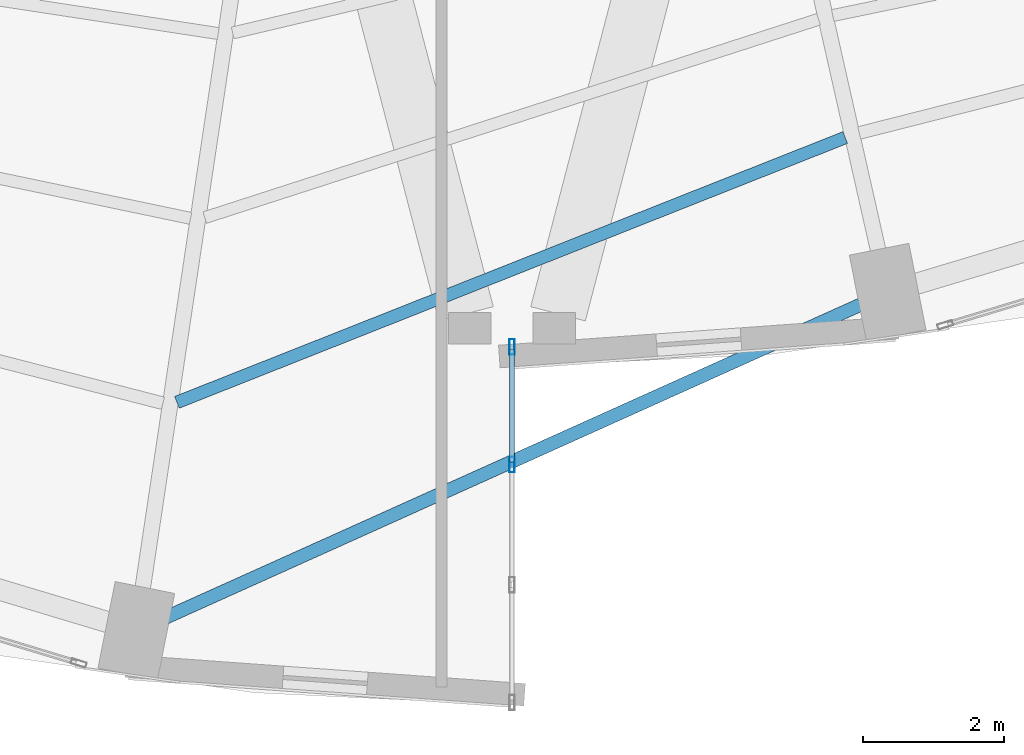
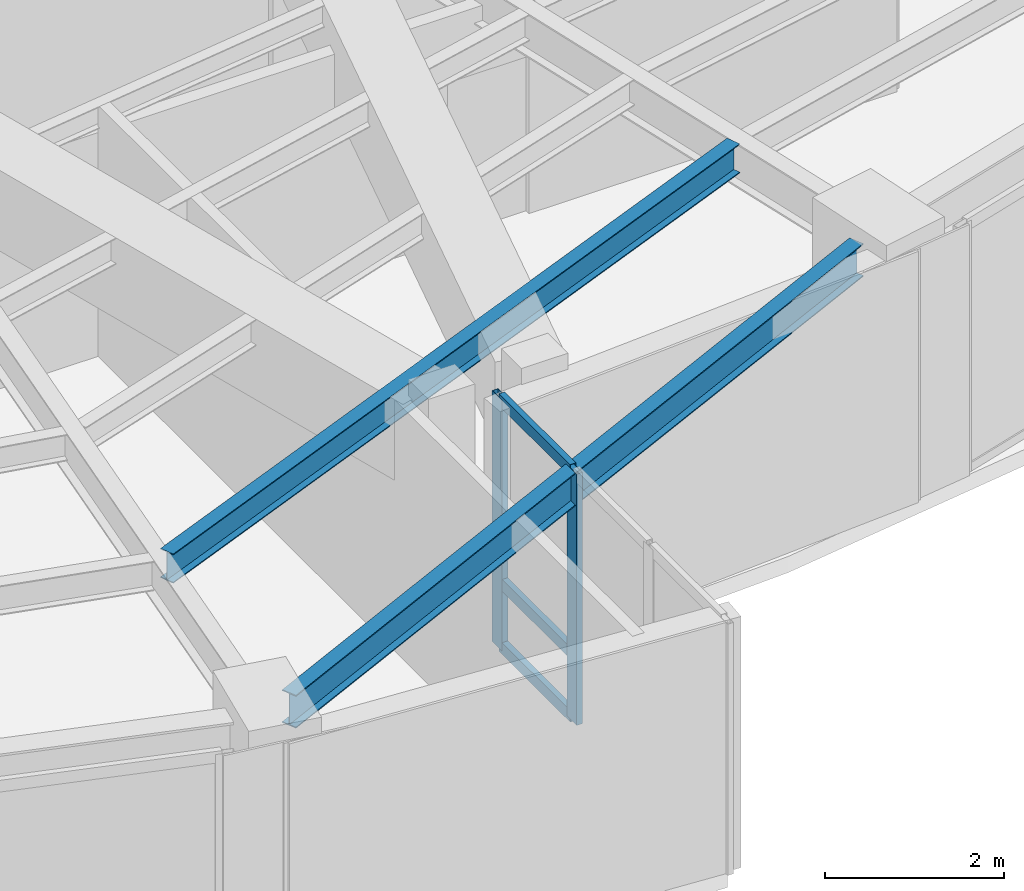
# One storey, part 6 of 25: 5 members, 2 beams, 1 element without a shape of its own.
"""IFC4 building model written with IfcOpenShell, lengths in metres."""

from ifc_helpers import new_model, si_unit, direction, frame, origin, origin_2d, place, context, subcontext, project, spatial, hollow_rectangle, i_section, extrude, material, layer, layer_set, material_profile, profile_set, type_object, element, aggregate, save


model = new_model("IFC4")

# Units and contexts
model_context = context("Model", 3, precision=1e-05, world=origin(), true_north=direction((0.0, 1.0)))
body_context = subcontext(model_context, "Body", "Model", "MODEL_VIEW")
ifc_project = project(units=[si_unit("LENGTHUNIT", "METRE"), si_unit("AREAUNIT", "SQUARE_METRE"), si_unit("VOLUMEUNIT", "CUBIC_METRE"), si_unit("PLANEANGLEUNIT", "RADIAN"), si_unit("MASSUNIT", "GRAM", prefix="KILO")], contexts=[model_context])

# Site, building, storey
site_placement = place(None, origin())
site = spatial("IfcSite", under=ifc_project, at=site_placement, CompositionType="ELEMENT")
building_placement = place(site_placement, origin())
building = spatial("IfcBuilding", under=site, at=building_placement, Name="Lazwardi Medical Tower", CompositionType="ELEMENT")
storey_placement = place(building_placement, frame((0.0, 0.0, 43.43994140625)))
storey = spatial("IfcBuildingStorey", under=building, at=storey_placement, Name="L10", CompositionType="ELEMENT", Elevation=43.43994140625)

# Beams
ifc_material_1 = material(Name="Steel S355", Category="steel")
ifc_material_profile_1 = material_profile(ifc_material_1, i_section(OverallWidth=0.179931640625, OverallDepth=0.39990234375, WebThickness=0.008544921875, FlangeThickness=0.013427734375, at=origin_2d()), Name="IPE 400")
ifc_profile_set_1 = profile_set([ifc_material_profile_1], Name="Steel S355")
beam_type_1 = type_object("IfcBeamType", Name="BM-SJ-01", PredefinedType="JOIST", material=ifc_profile_set_1)
beam_1_placement = place(storey_placement, frame((31.245849609375, 9.396484375, 3.22802734375), z_axis=(0.929663713752, 0.368409255222, 0.0), x_axis=(-0.368409255222, 0.929663713752, 0.0)))
element("IfcBeam", 1, at=beam_1_placement, inside=storey, type_object=beam_type_1, Name="Secondary joist SJ-01 R1 B16 L10", PredefinedType="JOIST", context=body_context, shape_type="SweptSolid", body=[
    extrude(i_section(OverallWidth=0.179931640625, OverallDepth=0.39990234375, WebThickness=0.008544921875, FlangeThickness=0.013427734375, at=origin_2d()), origin(), (0.0, 0.0, 1.0), 10.2001953125),
])
ifc_material_profile_2 = material_profile(ifc_material_1, i_section(OverallWidth=0.18994140625, OverallDepth=0.449951171875, WebThickness=0.009521484375, FlangeThickness=0.0146484375, at=origin_2d()), Name="IPE 450")
ifc_profile_set_2 = profile_set([ifc_material_profile_2], Name="Steel S355")
beam_type_2 = type_object("IfcBeamType", Name="BM-SP-01", PredefinedType="SPANDREL", material=ifc_profile_set_2)
beam_2_placement = place(storey_placement, frame((31.05224609375, 6.328369140625, 3.203125), z_axis=(0.91184908894, 0.410525564368, 0.0), x_axis=(-0.410525564368, 0.91184908894, 0.0)))
element("IfcBeam", 2, at=beam_2_placement, inside=storey, type_object=beam_type_2, Name="Spandrel beam SP-01 B16 L10", PredefinedType="SPANDREL", context=body_context, shape_type="SweptSolid", body=[
    extrude(i_section(OverallWidth=0.18994140625, OverallDepth=0.449951171875, WebThickness=0.009521484375, FlangeThickness=0.0146484375, at=origin_2d()), origin(), (0.0, 0.0, 1.0), 10.85205078125),
])

# Curtain wall, members
ifc_material_2 = material(Name="Anodised bronze aluminium and solar control glazing", Category="aluminium")
ifc_layer = layer(ifc_material_2, 0.2099609375)
ifc_layer_set = layer_set([ifc_layer], Name="Anodised bronze aluminium and solar control glazing")
curtain_wall_type = type_object("IfcCurtainWallType", Name="CW-SYS-06", PredefinedType="NOTDEFINED", material=ifc_layer_set)
curtain_wall_placement = place(storey_placement, origin())
curtain_wall = element("IfcCurtainWall", 3, at=curtain_wall_placement, inside=storey, type_object=curtain_wall_type, Name="L10 Unitised bronze curtain wall CW-06", PredefinedType="NOTDEFINED")
ifc_material_3 = material(Name="Anodised bronze aluminium", Category="aluminium")
ifc_material_profile_3 = material_profile(ifc_material_3, hollow_rectangle(XDim=0.074951171875, YDim=0.219970703125, WallThickness=0.00390625, at=origin_2d()), Name="ALU-MULLION 220x75x4")
ifc_profile_set_3 = profile_set([ifc_material_profile_3], Name="Anodised bronze aluminium")
member_type_1 = type_object("IfcMemberType", Name="CW-MUL-01", PredefinedType="MULLION", material=ifc_profile_set_3)
member_1_placement = place(storey_placement, frame((36.0, 8.513427734375, 0.0), z_axis=(0.0, 0.0, 1.0), x_axis=(-1.0, 0.0, 0.0)))
member_1 = element("IfcMember", 4, at=member_1_placement, type_object=member_type_1, Name="CW-06 mullion 3", PredefinedType="MULLION", context=body_context, shape_type="SweptSolid", body=[
    extrude(hollow_rectangle(XDim=0.074951171875, YDim=0.219970703125, WallThickness=0.00390625, at=origin_2d()), origin(), (0.0, 0.0, 1.0), 3.427978515625),
])
member_2_placement = place(storey_placement, frame((36.0, 10.1826171875, 0.0), z_axis=(0.0, 0.0, 1.0), x_axis=(-1.0, 0.0, 0.0)))
member_2 = element("IfcMember", 5, at=member_2_placement, type_object=member_type_1, Name="CW-06 mullion 4", PredefinedType="MULLION", context=body_context, shape_type="SweptSolid", body=[
    extrude(hollow_rectangle(XDim=0.074951171875, YDim=0.219970703125, WallThickness=0.00390625, at=origin_2d()), origin(), (0.0, 0.0, 1.0), 3.427978515625),
])
ifc_material_profile_4 = material_profile(ifc_material_3, hollow_rectangle(XDim=0.074951171875, YDim=0.159912109375, WallThickness=0.00390625, at=origin_2d()), Name="ALU-TRANSOM 160x75x4")
ifc_profile_set_4 = profile_set([ifc_material_profile_4], Name="Anodised bronze aluminium")
member_type_2 = type_object("IfcMemberType", Name="CW-TRN-01", PredefinedType="USERDEFINED", material=ifc_profile_set_4)
member_3_placement = place(storey_placement, frame((36.0, 8.55078125, 0.03759765625), z_axis=(0.0, 1.0, 0.0), x_axis=(-1.0, 0.0, 0.0)))
member_3 = element("IfcMember", 6, at=member_3_placement, type_object=member_type_2, Name="CW-06 transom 3.1", ObjectType="TRANSOM", PredefinedType="USERDEFINED", context=body_context, shape_type="SweptSolid", body=[
    extrude(hollow_rectangle(XDim=0.074951171875, YDim=0.159912109375, WallThickness=0.00390625, at=origin_2d()), origin(), (0.0, 0.0, 1.0), 1.59423828125),
])
member_4_placement = place(storey_placement, frame((36.0, 8.55078125, 0.900146484375), z_axis=(0.0, 1.0, 0.0), x_axis=(-1.0, 0.0, 0.0)))
member_4 = element("IfcMember", 7, at=member_4_placement, type_object=member_type_2, Name="CW-06 transom 3.2", ObjectType="TRANSOM", PredefinedType="USERDEFINED", context=body_context, shape_type="SweptSolid", body=[
    extrude(hollow_rectangle(XDim=0.074951171875, YDim=0.159912109375, WallThickness=0.00390625, at=origin_2d()), origin(), (0.0, 0.0, 1.0), 1.59423828125),
])
member_5_placement = place(storey_placement, frame((36.0, 8.55078125, 3.390625), z_axis=(0.0, 1.0, 0.0), x_axis=(-1.0, 0.0, 0.0)))
member_5 = element("IfcMember", 8, at=member_5_placement, type_object=member_type_2, Name="CW-06 transom 3.3", ObjectType="TRANSOM", PredefinedType="USERDEFINED", context=body_context, shape_type="SweptSolid", body=[
    extrude(hollow_rectangle(XDim=0.074951171875, YDim=0.159912109375, WallThickness=0.00390625, at=origin_2d()), origin(), (0.0, 0.0, 1.0), 1.59423828125),
])
aggregate(curtain_wall, [member_1, member_2, member_3, member_4, member_5])

save(model, "model.ifc")
